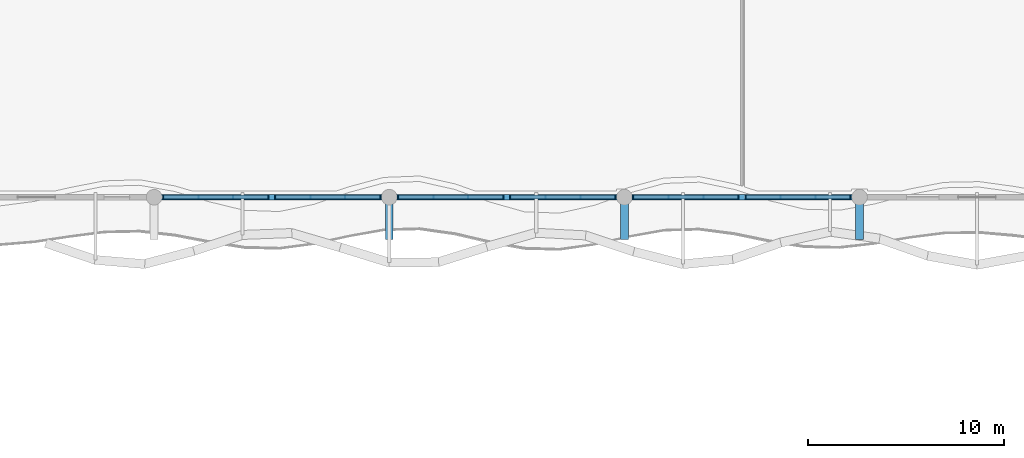
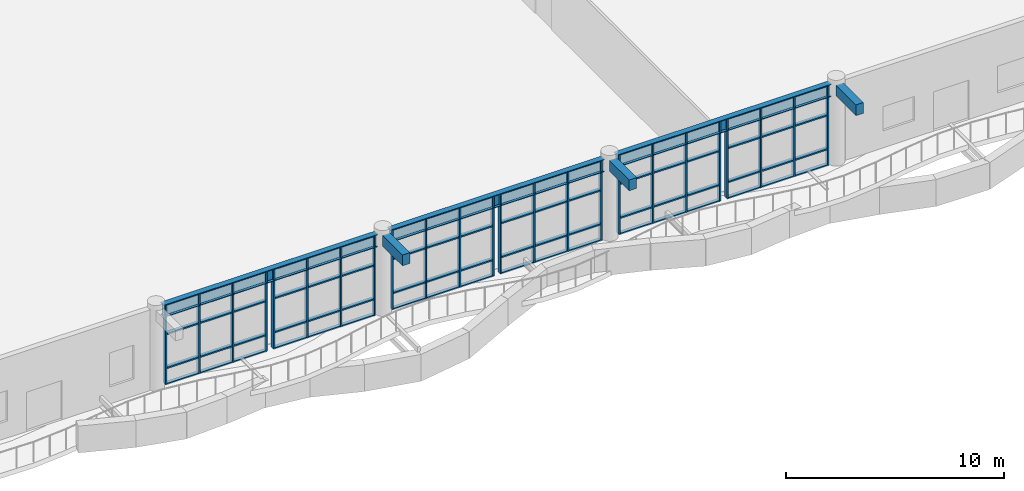
# One storey, part 16 of 72: 48 members, 6 beams, 6 elements without a shape of their own.
"""IFC4 building model written with IfcOpenShell, lengths in metres."""

import ifcopenshell
import ifcopenshell.guid

model = None  # the IFC model being written
_history = None  # IfcOwnerHistory: only IFC2X3 demands one
_inside = {}  # id of a spatial element -> (the spatial element, [elements in it])
_under = {}  # id of a project, library or spatial element -> (it, [spatial elements below it])
_declared = {}  # id of a project -> (the project, [libraries it declares])
_typed = {}  # id of a type object -> (the type object, [elements of that type])
_made_of = {}  # id of a material, layer set ... -> (it, [elements and type objects made of it])


def new_model(schema):
    """Start an empty IFC model of exactly this schema.

    Asked for "IFC4X3", IfcOpenShell would pick the latest addendum, in which some entities
    have other attributes; the version numbers below select the first issue.
    IFC2X3 requires an IfcOwnerHistory on every rooted entity: one is made here for all.
    """
    global model, _history
    if schema == "IFC4X3":
        model = ifcopenshell.file(schema_version=(4, 3, 0, 0))
    else:
        model = ifcopenshell.file(schema=schema)
    _inside.clear()
    _under.clear()
    _declared.clear()
    _typed.clear()
    _made_of.clear()
    _history = None
    if model.schema == "IFC2X3":
        org = make("IfcOrganization", Name="unknown")
        user = make(
            "IfcPersonAndOrganization",
            ThePerson=make("IfcPerson", FamilyName="unknown"),
            TheOrganization=org,
        )
        app = make(
            "IfcApplication",
            ApplicationDeveloper=org,
            Version="unknown",
            ApplicationFullName="unknown",
            ApplicationIdentifier="unknown",
        )
        _history = make(
            "IfcOwnerHistory",
            OwningUser=user,
            OwningApplication=app,
            ChangeAction="ADDED",
            CreationDate=0,
        )
    return model


def make(cls, **values):
    """One entity of the class cls with the attributes given. An attribute that is None is left unset."""
    return model.create_entity(
        cls, **{name: value for name, value in values.items() if value is not None}
    )


def rooted(cls, **values):
    """An entity with a GlobalId (a new one), such as an element, a storey or a relation."""
    return make(cls, GlobalId=ifcopenshell.guid.new(), OwnerHistory=_history, **values)


def si_unit(unit_type, name, prefix=None):
    """IfcSIUnit, for example si_unit("LENGTHUNIT", "METRE", prefix="MILLI")."""
    return make("IfcSIUnit", UnitType=unit_type, Prefix=prefix, Name=name)


def assignment(units):
    """IfcUnitAssignment: the units of a project."""
    return None if units is None else make("IfcUnitAssignment", Units=units)


def point(xyz):
    """IfcCartesianPoint."""
    return None if xyz is None else make("IfcCartesianPoint", Coordinates=xyz)


def direction(xyz):
    """IfcDirection."""
    return None if xyz is None else make("IfcDirection", DirectionRatios=xyz)


def frame(location, z_axis=None, x_axis=None):
    """IfcAxis2Placement3D, a coordinate frame: its origin and axes. An axis left out is left unset."""
    return make(
        "IfcAxis2Placement3D",
        Location=point(location),
        Axis=direction(z_axis),
        RefDirection=direction(x_axis),
    )


def frame_2d(location, x_axis=None):
    """IfcAxis2Placement2D, a coordinate frame in the plane: its origin and x axis."""
    return make(
        "IfcAxis2Placement2D", Location=point(location), RefDirection=direction(x_axis)
    )


def origin():
    """The frame at (0, 0, 0) with its axes left unset."""
    return frame((0.0, 0.0, 0.0))


def origin_2d():
    """The frame at (0, 0) in the plane with its x axis left unset."""
    return frame_2d((0.0, 0.0))


def place(relative_to, where):
    """IfcLocalPlacement: puts the frame where relative to a parent placement (None: the world)."""
    return make(
        "IfcLocalPlacement", PlacementRelTo=relative_to, RelativePlacement=where
    )


def context(
    kind, dimensions, precision=None, world=None, true_north=None, identifier=None
):
    """IfcGeometricRepresentationContext, for example the 3D "Model" context."""
    return make(
        "IfcGeometricRepresentationContext",
        ContextIdentifier=identifier,
        ContextType=kind,
        CoordinateSpaceDimension=dimensions,
        Precision=precision,
        WorldCoordinateSystem=world,
        TrueNorth=true_north,
    )


def subcontext(parent, identifier, kind, view, scale=None):
    """IfcGeometricRepresentationSubContext, for example "Body" below "Model"."""
    return make(
        "IfcGeometricRepresentationSubContext",
        ContextIdentifier=identifier,
        ContextType=kind,
        ParentContext=parent,
        TargetScale=scale,
        TargetView=view,
    )


def project(units=None, contexts=None):
    """IfcProject with its units and contexts."""
    return rooted(
        "IfcProject",
        Name="project",
        RepresentationContexts=contexts,
        UnitsInContext=assignment(units),
    )


def spatial(cls, under=None, at=None, **own):
    """A site, building, storey or space (cls), placed at a placement, below another one or the project."""
    s = rooted(cls, ObjectPlacement=at, **own)
    if under is not None:
        _under.setdefault(under.id(), (under, []))[1].append(s)
    return s


def profile(cls, at=None, kind="AREA", **sizes):
    """A parametric profile (cls). Its sizes go by their IFC names, for example OverallWidth=200.0."""
    return make(cls, ProfileType=kind, Position=at, **sizes)


def rectangle(**sizes):
    """IfcRectangleProfileDef."""
    return profile("IfcRectangleProfileDef", **sizes)


def i_section(**sizes):
    """IfcIShapeProfileDef."""
    return profile("IfcIShapeProfileDef", **sizes)


def extrude(swept, where, along, depth):
    """IfcExtrudedAreaSolid: the profile swept, set in the frame where, extruded along a direction by depth."""
    return make(
        "IfcExtrudedAreaSolid",
        SweptArea=swept,
        Position=where,
        ExtrudedDirection=direction(along),
        Depth=depth,
    )


def shape(context_of_items, identifier, shape_type, items):
    """IfcShapeRepresentation: the items that make up one representation, for example the "Body"."""
    return make(
        "IfcShapeRepresentation",
        ContextOfItems=context_of_items,
        RepresentationIdentifier=identifier,
        RepresentationType=shape_type,
        Items=items,
    )


def material(Name=None, Category=None):
    """IfcMaterial."""
    return make("IfcMaterial", Name=Name, Category=Category)


def layer(
    of_material, thickness, ventilated=None, Name=None, Category=None, Priority=None
):
    """IfcMaterialLayer: one layer of a wall or slab, of a material (None: an air gap)."""
    return make(
        "IfcMaterialLayer",
        Material=of_material,
        LayerThickness=thickness,
        IsVentilated=ventilated,
        Name=Name,
        Category=Category,
        Priority=Priority,
    )


def layer_set(layers, Name=None):
    """IfcMaterialLayerSet."""
    return make("IfcMaterialLayerSet", MaterialLayers=layers, LayerSetName=Name)


def material_profile(
    of_material, cross_section, Name=None, Category=None, Priority=None
):
    """IfcMaterialProfile: a cross section and its material."""
    return make(
        "IfcMaterialProfile",
        Name=Name,
        Material=of_material,
        Profile=cross_section,
        Priority=Priority,
        Category=Category,
    )


def profile_set(profiles, Name=None, composite=None):
    """IfcMaterialProfileSet."""
    return make(
        "IfcMaterialProfileSet",
        Name=Name,
        MaterialProfiles=profiles,
        CompositeProfile=composite,
    )


def made_of(thing, what):
    """Note that an element or type object is made of a material, layer set ...; save() writes the relation."""
    if what is not None:
        _made_of.setdefault(what.id(), (what, []))[1].append(thing)
    return thing


def type_object(cls, material=None, **own):
    """A type object (cls), such as IfcWallType, which elements share."""
    return made_of(rooted(cls, **own), material)


def element(
    cls,
    number,
    at=None,
    inside=None,
    cuts=None,
    type_object=None,
    material=None,
    context=None,
    identifier="Body",
    shape_type=None,
    held_by="IfcProductDefinitionShape",
    body=None,
    shapes=None,
    **own,
):
    """One element of the class cls, such as IfcWall. Its Tag is "e" and its number.

    at: its placement. inside: the storey or other place that contains it. cuts: it is an
    opening in that element (IfcRelVoidsElement). A single representation is given by context,
    identifier, shape_type and body (its items); several are given by shapes. held_by: the class
    of the entity that holds the representations. save() writes the other relations.
    """
    e = rooted(cls, Tag="e%d" % number, ObjectPlacement=at, **own)
    if body is not None:
        shapes = [shape(context, identifier, shape_type, body)]
    if shapes is not None:
        e.Representation = make(held_by, Representations=shapes)
    if inside is not None:
        _inside.setdefault(inside.id(), (inside, []))[1].append(e)
    if cuts is not None:
        rooted(
            "IfcRelVoidsElement", RelatingBuildingElement=cuts, RelatedOpeningElement=e
        )
    if type_object is not None:
        _typed.setdefault(type_object.id(), (type_object, []))[1].append(e)
    return made_of(e, material)


def aggregate(whole, parts):
    """IfcRelAggregates: a whole, such as a stair, and the parts it consists of."""
    return rooted("IfcRelAggregates", RelatingObject=whole, RelatedObjects=parts)


def save(model, path):
    """Write the relations noted so far, then the file.

    IfcRelAggregates (storeys below a building ...), IfcRelContainedInSpatialStructure (elements
    in a storey), IfcRelDefinesByType, IfcRelAssociatesMaterial and IfcRelDeclares: one each for
    every whole, place, type object, material and project.
    """
    for whole, parts in _under.values():
        aggregate(whole, parts)
    for where, things in _inside.values():
        rooted(
            "IfcRelContainedInSpatialStructure",
            RelatedElements=things,
            RelatingStructure=where,
        )
    for kind, things in _typed.values():
        rooted("IfcRelDefinesByType", RelatedObjects=things, RelatingType=kind)
    for what, things in _made_of.values():
        rooted("IfcRelAssociatesMaterial", RelatedObjects=things, RelatingMaterial=what)
    for by, libraries in _declared.values():
        rooted("IfcRelDeclares", RelatingContext=by, RelatedDefinitions=libraries)
    model.write(path)


model = new_model("IFC4")

# Units and contexts
model_context = context("Model", 3, precision=1e-05, world=origin(), true_north=direction((0.0, 1.0)))
body_context = subcontext(model_context, "Body", "Model", "MODEL_VIEW")
ifc_project = project(units=[si_unit("LENGTHUNIT", "METRE"), si_unit("AREAUNIT", "SQUARE_METRE"), si_unit("VOLUMEUNIT", "CUBIC_METRE"), si_unit("PLANEANGLEUNIT", "RADIAN"), si_unit("MASSUNIT", "GRAM", prefix="KILO")], contexts=[model_context])

# Site, building, storey
site_placement = place(None, origin())
site = spatial("IfcSite", under=ifc_project, at=site_placement, CompositionType="ELEMENT")
building_placement = place(site_placement, origin())
building = spatial("IfcBuilding", under=site, at=building_placement, Name="Keelwater Ferry Terminal", CompositionType="ELEMENT")
storey_placement = place(building_placement, frame((0.0, 0.0, 5.39990234375)))
storey = spatial("IfcBuildingStorey", under=building, at=storey_placement, Name="L01", CompositionType="ELEMENT", Elevation=5.39990234375)

# Curtain wall, members
ifc_material_1 = material(Name="Thermally broken unitised aluminium and triple glass", Category="aluminium")
ifc_layer = layer(ifc_material_1, 0.179931640625)
ifc_layer_set = layer_set([ifc_layer], Name="Thermally broken unitised aluminium and triple glass")
curtain_wall_type = type_object("IfcCurtainWallType", Name="CW-02 Unitised Curtain Wall 5330x4450", PredefinedType="USERDEFINED", material=ifc_layer_set)
curtain_wall_1_placement = place(storey_placement, origin())
curtain_wall_1 = element("IfcCurtainWall", 1, at=curtain_wall_1_placement, inside=storey, type_object=curtain_wall_type, Name="Unitised Curtain Wall CW-L01-003", ObjectType="UNITISED CURTAIN WALL", PredefinedType="USERDEFINED")
ifc_material_2 = material(Name="Aluminium mullion", Category="aluminium")
ifc_material_profile_1 = material_profile(ifc_material_2, rectangle(XDim=0.074951171875, YDim=0.219970703125, at=origin_2d()), Name="CWM-02")
ifc_profile_set_1 = profile_set([ifc_material_profile_1], Name="Aluminium mullion")
member_type_1 = type_object("IfcMemberType", Name="CWM-02 Curtain Mullion 75x220", PredefinedType="MULLION", material=ifc_profile_set_1)
member_1_placement = place(storey_placement, frame((72.47509765625, 42.0, 0.0), z_axis=(0.0, 0.0, 1.0), x_axis=(1.0, 0.0, 0.0)))
member_1 = element("IfcMember", 2, at=member_1_placement, type_object=member_type_1, Name="CW-L01-003 Mullion 1", PredefinedType="MULLION", context=body_context, shape_type="SweptSolid", body=[
    extrude(rectangle(XDim=0.074951171875, YDim=0.219970703125, at=origin_2d()), origin(), (0.0, 0.0, 1.0), 4.4501953125),
])
member_2_placement = place(storey_placement, frame((74.251708984375, 42.0, 0.0), z_axis=(0.0, 0.0, 1.0), x_axis=(1.0, 0.0, 0.0)))
member_2 = element("IfcMember", 3, at=member_2_placement, type_object=member_type_1, Name="CW-L01-003 Mullion 2", PredefinedType="MULLION", context=body_context, shape_type="SweptSolid", body=[
    extrude(rectangle(XDim=0.074951171875, YDim=0.219970703125, at=origin_2d()), origin(), (0.0, 0.0, 1.0), 4.4501953125),
])
member_3_placement = place(storey_placement, frame((76.0283203125, 42.0, 0.0), z_axis=(0.0, 0.0, 1.0), x_axis=(1.0, 0.0, 0.0)))
member_3 = element("IfcMember", 4, at=member_3_placement, type_object=member_type_1, Name="CW-L01-003 Mullion 3", PredefinedType="MULLION", context=body_context, shape_type="SweptSolid", body=[
    extrude(rectangle(XDim=0.074951171875, YDim=0.219970703125, at=origin_2d()), origin(), (0.0, 0.0, 1.0), 4.4501953125),
])
member_4_placement = place(storey_placement, frame((77.804931640625, 42.0, 0.0), z_axis=(0.0, 0.0, 1.0), x_axis=(1.0, 0.0, 0.0)))
member_4 = element("IfcMember", 5, at=member_4_placement, type_object=member_type_1, Name="CW-L01-003 Mullion 4", PredefinedType="MULLION", context=body_context, shape_type="SweptSolid", body=[
    extrude(rectangle(XDim=0.074951171875, YDim=0.219970703125, at=origin_2d()), origin(), (0.0, 0.0, 1.0), 4.4501953125),
])

curtain_wall_2_placement = place(storey_placement, origin())
curtain_wall_2 = element("IfcCurtainWall", 6, at=curtain_wall_2_placement, inside=storey, type_object=curtain_wall_type, Name="Unitised Curtain Wall CW-L01-004", ObjectType="UNITISED CURTAIN WALL", PredefinedType="USERDEFINED")
member_5_placement = place(storey_placement, frame((78.195068359375, 42.0, 0.0), z_axis=(0.0, 0.0, 1.0), x_axis=(1.0, 0.0, 0.0)))
member_5 = element("IfcMember", 7, at=member_5_placement, type_object=member_type_1, Name="CW-L01-004 Mullion 1", PredefinedType="MULLION", context=body_context, shape_type="SweptSolid", body=[
    extrude(rectangle(XDim=0.074951171875, YDim=0.219970703125, at=origin_2d()), origin(), (0.0, 0.0, 1.0), 4.4501953125),
])
member_6_placement = place(storey_placement, frame((79.9716796875, 42.0, 0.0), z_axis=(0.0, 0.0, 1.0), x_axis=(1.0, 0.0, 0.0)))
member_6 = element("IfcMember", 8, at=member_6_placement, type_object=member_type_1, Name="CW-L01-004 Mullion 2", PredefinedType="MULLION", context=body_context, shape_type="SweptSolid", body=[
    extrude(rectangle(XDim=0.074951171875, YDim=0.219970703125, at=origin_2d()), origin(), (0.0, 0.0, 1.0), 4.4501953125),
])
member_7_placement = place(storey_placement, frame((81.748291015625, 42.0, 0.0), z_axis=(0.0, 0.0, 1.0), x_axis=(1.0, 0.0, 0.0)))
member_7 = element("IfcMember", 9, at=member_7_placement, type_object=member_type_1, Name="CW-L01-004 Mullion 3", PredefinedType="MULLION", context=body_context, shape_type="SweptSolid", body=[
    extrude(rectangle(XDim=0.074951171875, YDim=0.219970703125, at=origin_2d()), origin(), (0.0, 0.0, 1.0), 4.4501953125),
])
member_8_placement = place(storey_placement, frame((83.52490234375, 42.0, 0.0), z_axis=(0.0, 0.0, 1.0), x_axis=(1.0, 0.0, 0.0)))
member_8 = element("IfcMember", 10, at=member_8_placement, type_object=member_type_1, Name="CW-L01-004 Mullion 4", PredefinedType="MULLION", context=body_context, shape_type="SweptSolid", body=[
    extrude(rectangle(XDim=0.074951171875, YDim=0.219970703125, at=origin_2d()), origin(), (0.0, 0.0, 1.0), 4.4501953125),
])

curtain_wall_3_placement = place(storey_placement, origin())
curtain_wall_3 = element("IfcCurtainWall", 11, at=curtain_wall_3_placement, inside=storey, type_object=curtain_wall_type, Name="Unitised Curtain Wall CW-L01-005", ObjectType="UNITISED CURTAIN WALL", PredefinedType="USERDEFINED")
member_9_placement = place(storey_placement, frame((84.47509765625, 42.0, 0.0), z_axis=(0.0, 0.0, 1.0), x_axis=(1.0, 0.0, 0.0)))
member_9 = element("IfcMember", 12, at=member_9_placement, type_object=member_type_1, Name="CW-L01-005 Mullion 1", PredefinedType="MULLION", context=body_context, shape_type="SweptSolid", body=[
    extrude(rectangle(XDim=0.074951171875, YDim=0.219970703125, at=origin_2d()), origin(), (0.0, 0.0, 1.0), 4.4501953125),
])
member_10_placement = place(storey_placement, frame((86.251708984375, 42.0, 0.0), z_axis=(0.0, 0.0, 1.0), x_axis=(1.0, 0.0, 0.0)))
member_10 = element("IfcMember", 13, at=member_10_placement, type_object=member_type_1, Name="CW-L01-005 Mullion 2", PredefinedType="MULLION", context=body_context, shape_type="SweptSolid", body=[
    extrude(rectangle(XDim=0.074951171875, YDim=0.219970703125, at=origin_2d()), origin(), (0.0, 0.0, 1.0), 4.4501953125),
])
member_11_placement = place(storey_placement, frame((88.0283203125, 42.0, 0.0), z_axis=(0.0, 0.0, 1.0), x_axis=(1.0, 0.0, 0.0)))
member_11 = element("IfcMember", 14, at=member_11_placement, type_object=member_type_1, Name="CW-L01-005 Mullion 3", PredefinedType="MULLION", context=body_context, shape_type="SweptSolid", body=[
    extrude(rectangle(XDim=0.074951171875, YDim=0.219970703125, at=origin_2d()), origin(), (0.0, 0.0, 1.0), 4.4501953125),
])
member_12_placement = place(storey_placement, frame((89.804931640625, 42.0, 0.0), z_axis=(0.0, 0.0, 1.0), x_axis=(1.0, 0.0, 0.0)))
member_12 = element("IfcMember", 15, at=member_12_placement, type_object=member_type_1, Name="CW-L01-005 Mullion 4", PredefinedType="MULLION", context=body_context, shape_type="SweptSolid", body=[
    extrude(rectangle(XDim=0.074951171875, YDim=0.219970703125, at=origin_2d()), origin(), (0.0, 0.0, 1.0), 4.4501953125),
])

curtain_wall_4_placement = place(storey_placement, origin())
curtain_wall_4 = element("IfcCurtainWall", 16, at=curtain_wall_4_placement, inside=storey, type_object=curtain_wall_type, Name="Unitised Curtain Wall CW-L01-006", ObjectType="UNITISED CURTAIN WALL", PredefinedType="USERDEFINED")
member_13_placement = place(storey_placement, frame((90.195068359375, 42.0, 0.0), z_axis=(0.0, 0.0, 1.0), x_axis=(1.0, 0.0, 0.0)))
member_13 = element("IfcMember", 17, at=member_13_placement, type_object=member_type_1, Name="CW-L01-006 Mullion 1", PredefinedType="MULLION", context=body_context, shape_type="SweptSolid", body=[
    extrude(rectangle(XDim=0.074951171875, YDim=0.219970703125, at=origin_2d()), origin(), (0.0, 0.0, 1.0), 4.4501953125),
])
member_14_placement = place(storey_placement, frame((91.9716796875, 42.0, 0.0), z_axis=(0.0, 0.0, 1.0), x_axis=(1.0, 0.0, 0.0)))
member_14 = element("IfcMember", 18, at=member_14_placement, type_object=member_type_1, Name="CW-L01-006 Mullion 2", PredefinedType="MULLION", context=body_context, shape_type="SweptSolid", body=[
    extrude(rectangle(XDim=0.074951171875, YDim=0.219970703125, at=origin_2d()), origin(), (0.0, 0.0, 1.0), 4.4501953125),
])
member_15_placement = place(storey_placement, frame((93.748291015625, 42.0, 0.0), z_axis=(0.0, 0.0, 1.0), x_axis=(1.0, 0.0, 0.0)))
member_15 = element("IfcMember", 19, at=member_15_placement, type_object=member_type_1, Name="CW-L01-006 Mullion 3", PredefinedType="MULLION", context=body_context, shape_type="SweptSolid", body=[
    extrude(rectangle(XDim=0.074951171875, YDim=0.219970703125, at=origin_2d()), origin(), (0.0, 0.0, 1.0), 4.4501953125),
])
member_16_placement = place(storey_placement, frame((95.52490234375, 42.0, 0.0), z_axis=(0.0, 0.0, 1.0), x_axis=(1.0, 0.0, 0.0)))
member_16 = element("IfcMember", 20, at=member_16_placement, type_object=member_type_1, Name="CW-L01-006 Mullion 4", PredefinedType="MULLION", context=body_context, shape_type="SweptSolid", body=[
    extrude(rectangle(XDim=0.074951171875, YDim=0.219970703125, at=origin_2d()), origin(), (0.0, 0.0, 1.0), 4.4501953125),
])

curtain_wall_5_placement = place(storey_placement, origin())
curtain_wall_5 = element("IfcCurtainWall", 21, at=curtain_wall_5_placement, inside=storey, type_object=curtain_wall_type, Name="Unitised Curtain Wall CW-L01-007", ObjectType="UNITISED CURTAIN WALL", PredefinedType="USERDEFINED")
member_17_placement = place(storey_placement, frame((96.47509765625, 42.0, 0.0), z_axis=(0.0, 0.0, 1.0), x_axis=(1.0, 0.0, 0.0)))
member_17 = element("IfcMember", 22, at=member_17_placement, type_object=member_type_1, Name="CW-L01-007 Mullion 1", PredefinedType="MULLION", context=body_context, shape_type="SweptSolid", body=[
    extrude(rectangle(XDim=0.074951171875, YDim=0.219970703125, at=origin_2d()), origin(), (0.0, 0.0, 1.0), 4.4501953125),
])
member_18_placement = place(storey_placement, frame((98.251708984375, 42.0, 0.0), z_axis=(0.0, 0.0, 1.0), x_axis=(1.0, 0.0, 0.0)))
member_18 = element("IfcMember", 23, at=member_18_placement, type_object=member_type_1, Name="CW-L01-007 Mullion 2", PredefinedType="MULLION", context=body_context, shape_type="SweptSolid", body=[
    extrude(rectangle(XDim=0.074951171875, YDim=0.219970703125, at=origin_2d()), origin(), (0.0, 0.0, 1.0), 4.4501953125),
])
member_19_placement = place(storey_placement, frame((100.0283203125, 42.0, 0.0), z_axis=(0.0, 0.0, 1.0), x_axis=(1.0, 0.0, 0.0)))
member_19 = element("IfcMember", 24, at=member_19_placement, type_object=member_type_1, Name="CW-L01-007 Mullion 3", PredefinedType="MULLION", context=body_context, shape_type="SweptSolid", body=[
    extrude(rectangle(XDim=0.074951171875, YDim=0.219970703125, at=origin_2d()), origin(), (0.0, 0.0, 1.0), 4.4501953125),
])
member_20_placement = place(storey_placement, frame((101.804931640625, 42.0, 0.0), z_axis=(0.0, 0.0, 1.0), x_axis=(1.0, 0.0, 0.0)))
member_20 = element("IfcMember", 25, at=member_20_placement, type_object=member_type_1, Name="CW-L01-007 Mullion 4", PredefinedType="MULLION", context=body_context, shape_type="SweptSolid", body=[
    extrude(rectangle(XDim=0.074951171875, YDim=0.219970703125, at=origin_2d()), origin(), (0.0, 0.0, 1.0), 4.4501953125),
])

curtain_wall_6_placement = place(storey_placement, origin())
curtain_wall_6 = element("IfcCurtainWall", 26, at=curtain_wall_6_placement, inside=storey, type_object=curtain_wall_type, Name="Unitised Curtain Wall CW-L01-008", ObjectType="UNITISED CURTAIN WALL", PredefinedType="USERDEFINED")
member_21_placement = place(storey_placement, frame((102.195068359375, 42.0, 0.0), z_axis=(0.0, 0.0, 1.0), x_axis=(1.0, 0.0, 0.0)))
member_21 = element("IfcMember", 27, at=member_21_placement, type_object=member_type_1, Name="CW-L01-008 Mullion 1", PredefinedType="MULLION", context=body_context, shape_type="SweptSolid", body=[
    extrude(rectangle(XDim=0.074951171875, YDim=0.219970703125, at=origin_2d()), origin(), (0.0, 0.0, 1.0), 4.4501953125),
])
member_22_placement = place(storey_placement, frame((103.9716796875, 42.0, 0.0), z_axis=(0.0, 0.0, 1.0), x_axis=(1.0, 0.0, 0.0)))
member_22 = element("IfcMember", 28, at=member_22_placement, type_object=member_type_1, Name="CW-L01-008 Mullion 2", PredefinedType="MULLION", context=body_context, shape_type="SweptSolid", body=[
    extrude(rectangle(XDim=0.074951171875, YDim=0.219970703125, at=origin_2d()), origin(), (0.0, 0.0, 1.0), 4.4501953125),
])
member_23_placement = place(storey_placement, frame((105.748291015625, 42.0, 0.0), z_axis=(0.0, 0.0, 1.0), x_axis=(1.0, 0.0, 0.0)))
member_23 = element("IfcMember", 29, at=member_23_placement, type_object=member_type_1, Name="CW-L01-008 Mullion 3", PredefinedType="MULLION", context=body_context, shape_type="SweptSolid", body=[
    extrude(rectangle(XDim=0.074951171875, YDim=0.219970703125, at=origin_2d()), origin(), (0.0, 0.0, 1.0), 4.4501953125),
])
member_24_placement = place(storey_placement, frame((107.52490234375, 42.0, 0.0), z_axis=(0.0, 0.0, 1.0), x_axis=(1.0, 0.0, 0.0)))
member_24 = element("IfcMember", 30, at=member_24_placement, type_object=member_type_1, Name="CW-L01-008 Mullion 4", PredefinedType="MULLION", context=body_context, shape_type="SweptSolid", body=[
    extrude(rectangle(XDim=0.074951171875, YDim=0.219970703125, at=origin_2d()), origin(), (0.0, 0.0, 1.0), 4.4501953125),
])

# Member
ifc_material_3 = material(Name="Aluminium mullion", Category="aluminium")
ifc_material_profile_2 = material_profile(ifc_material_3, rectangle(XDim=0.199951171875, YDim=0.074951171875, at=origin_2d()), Name="CWT-02")
ifc_profile_set_2 = profile_set([ifc_material_profile_2], Name="Aluminium mullion")
member_type_2 = type_object("IfcMemberType", Name="CWT-02 Curtain Transom 75x200", PredefinedType="USERDEFINED", material=ifc_profile_set_2)
member_25_placement = place(storey_placement, frame((72.47509765625, 42.0, 0.0), z_axis=(1.0, 0.0, 0.0), x_axis=(0.0, 1.0, 0.0)))
member_25 = element("IfcMember", 31, at=member_25_placement, type_object=member_type_2, Name="CW-L01-003 Transom 1", ObjectType="TRANSOM", PredefinedType="USERDEFINED", context=body_context, shape_type="SweptSolid", body=[
    extrude(rectangle(XDim=0.199951171875, YDim=0.074951171875, at=origin_2d()), origin(), (0.0, 0.0, 1.0), 5.329833984375),
])

member_26_placement = place(storey_placement, frame((72.47509765625, 42.0, 0.900146484375), z_axis=(1.0, 0.0, 0.0), x_axis=(0.0, 1.0, 0.0)))
member_26 = element("IfcMember", 32, at=member_26_placement, type_object=member_type_2, Name="CW-L01-003 Transom 2", ObjectType="TRANSOM", PredefinedType="USERDEFINED", context=body_context, shape_type="SweptSolid", body=[
    extrude(rectangle(XDim=0.199951171875, YDim=0.074951171875, at=origin_2d()), origin(), (0.0, 0.0, 1.0), 5.329833984375),
])

member_27_placement = place(storey_placement, frame((72.47509765625, 42.0, 2.800048828125), z_axis=(1.0, 0.0, 0.0), x_axis=(0.0, 1.0, 0.0)))
member_27 = element("IfcMember", 33, at=member_27_placement, type_object=member_type_2, Name="CW-L01-003 Transom 3", ObjectType="TRANSOM", PredefinedType="USERDEFINED", context=body_context, shape_type="SweptSolid", body=[
    extrude(rectangle(XDim=0.199951171875, YDim=0.074951171875, at=origin_2d()), origin(), (0.0, 0.0, 1.0), 5.329833984375),
])

member_28_placement = place(storey_placement, frame((72.47509765625, 42.0, 4.4501953125), z_axis=(1.0, 0.0, 0.0), x_axis=(0.0, 1.0, 0.0)))
member_28 = element("IfcMember", 34, at=member_28_placement, type_object=member_type_2, Name="CW-L01-003 Transom 4", ObjectType="TRANSOM", PredefinedType="USERDEFINED", context=body_context, shape_type="SweptSolid", body=[
    extrude(rectangle(XDim=0.199951171875, YDim=0.074951171875, at=origin_2d()), origin(), (0.0, 0.0, 1.0), 5.329833984375),
])

aggregate(curtain_wall_1, [member_1, member_2, member_3, member_4, member_25, member_26, member_27, member_28])

member_29_placement = place(storey_placement, frame((78.195068359375, 42.0, 0.0), z_axis=(1.0, 0.0, 0.0), x_axis=(0.0, 1.0, 0.0)))
member_29 = element("IfcMember", 35, at=member_29_placement, type_object=member_type_2, Name="CW-L01-004 Transom 1", ObjectType="TRANSOM", PredefinedType="USERDEFINED", context=body_context, shape_type="SweptSolid", body=[
    extrude(rectangle(XDim=0.199951171875, YDim=0.074951171875, at=origin_2d()), origin(), (0.0, 0.0, 1.0), 5.329833984375),
])

member_30_placement = place(storey_placement, frame((78.195068359375, 42.0, 0.900146484375), z_axis=(1.0, 0.0, 0.0), x_axis=(0.0, 1.0, 0.0)))
member_30 = element("IfcMember", 36, at=member_30_placement, type_object=member_type_2, Name="CW-L01-004 Transom 2", ObjectType="TRANSOM", PredefinedType="USERDEFINED", context=body_context, shape_type="SweptSolid", body=[
    extrude(rectangle(XDim=0.199951171875, YDim=0.074951171875, at=origin_2d()), origin(), (0.0, 0.0, 1.0), 5.329833984375),
])

member_31_placement = place(storey_placement, frame((78.195068359375, 42.0, 2.800048828125), z_axis=(1.0, 0.0, 0.0), x_axis=(0.0, 1.0, 0.0)))
member_31 = element("IfcMember", 37, at=member_31_placement, type_object=member_type_2, Name="CW-L01-004 Transom 3", ObjectType="TRANSOM", PredefinedType="USERDEFINED", context=body_context, shape_type="SweptSolid", body=[
    extrude(rectangle(XDim=0.199951171875, YDim=0.074951171875, at=origin_2d()), origin(), (0.0, 0.0, 1.0), 5.329833984375),
])

member_32_placement = place(storey_placement, frame((78.195068359375, 42.0, 4.4501953125), z_axis=(1.0, 0.0, 0.0), x_axis=(0.0, 1.0, 0.0)))
member_32 = element("IfcMember", 38, at=member_32_placement, type_object=member_type_2, Name="CW-L01-004 Transom 4", ObjectType="TRANSOM", PredefinedType="USERDEFINED", context=body_context, shape_type="SweptSolid", body=[
    extrude(rectangle(XDim=0.199951171875, YDim=0.074951171875, at=origin_2d()), origin(), (0.0, 0.0, 1.0), 5.329833984375),
])

aggregate(curtain_wall_2, [member_5, member_6, member_7, member_8, member_29, member_30, member_31, member_32])

member_33_placement = place(storey_placement, frame((84.47509765625, 42.0, 0.0), z_axis=(1.0, 0.0, 0.0), x_axis=(0.0, 1.0, 0.0)))
member_33 = element("IfcMember", 39, at=member_33_placement, type_object=member_type_2, Name="CW-L01-005 Transom 1", ObjectType="TRANSOM", PredefinedType="USERDEFINED", context=body_context, shape_type="SweptSolid", body=[
    extrude(rectangle(XDim=0.199951171875, YDim=0.074951171875, at=origin_2d()), origin(), (0.0, 0.0, 1.0), 5.329833984375),
])

member_34_placement = place(storey_placement, frame((84.47509765625, 42.0, 0.900146484375), z_axis=(1.0, 0.0, 0.0), x_axis=(0.0, 1.0, 0.0)))
member_34 = element("IfcMember", 40, at=member_34_placement, type_object=member_type_2, Name="CW-L01-005 Transom 2", ObjectType="TRANSOM", PredefinedType="USERDEFINED", context=body_context, shape_type="SweptSolid", body=[
    extrude(rectangle(XDim=0.199951171875, YDim=0.074951171875, at=origin_2d()), origin(), (0.0, 0.0, 1.0), 5.329833984375),
])

member_35_placement = place(storey_placement, frame((84.47509765625, 42.0, 2.800048828125), z_axis=(1.0, 0.0, 0.0), x_axis=(0.0, 1.0, 0.0)))
member_35 = element("IfcMember", 41, at=member_35_placement, type_object=member_type_2, Name="CW-L01-005 Transom 3", ObjectType="TRANSOM", PredefinedType="USERDEFINED", context=body_context, shape_type="SweptSolid", body=[
    extrude(rectangle(XDim=0.199951171875, YDim=0.074951171875, at=origin_2d()), origin(), (0.0, 0.0, 1.0), 5.329833984375),
])

member_36_placement = place(storey_placement, frame((84.47509765625, 42.0, 4.4501953125), z_axis=(1.0, 0.0, 0.0), x_axis=(0.0, 1.0, 0.0)))
member_36 = element("IfcMember", 42, at=member_36_placement, type_object=member_type_2, Name="CW-L01-005 Transom 4", ObjectType="TRANSOM", PredefinedType="USERDEFINED", context=body_context, shape_type="SweptSolid", body=[
    extrude(rectangle(XDim=0.199951171875, YDim=0.074951171875, at=origin_2d()), origin(), (0.0, 0.0, 1.0), 5.329833984375),
])

aggregate(curtain_wall_3, [member_9, member_10, member_11, member_12, member_33, member_34, member_35, member_36])

member_37_placement = place(storey_placement, frame((90.195068359375, 42.0, 0.0), z_axis=(1.0, 0.0, 0.0), x_axis=(0.0, 1.0, 0.0)))
member_37 = element("IfcMember", 43, at=member_37_placement, type_object=member_type_2, Name="CW-L01-006 Transom 1", ObjectType="TRANSOM", PredefinedType="USERDEFINED", context=body_context, shape_type="SweptSolid", body=[
    extrude(rectangle(XDim=0.199951171875, YDim=0.074951171875, at=origin_2d()), origin(), (0.0, 0.0, 1.0), 5.329833984375),
])

member_38_placement = place(storey_placement, frame((90.195068359375, 42.0, 0.900146484375), z_axis=(1.0, 0.0, 0.0), x_axis=(0.0, 1.0, 0.0)))
member_38 = element("IfcMember", 44, at=member_38_placement, type_object=member_type_2, Name="CW-L01-006 Transom 2", ObjectType="TRANSOM", PredefinedType="USERDEFINED", context=body_context, shape_type="SweptSolid", body=[
    extrude(rectangle(XDim=0.199951171875, YDim=0.074951171875, at=origin_2d()), origin(), (0.0, 0.0, 1.0), 5.329833984375),
])

member_39_placement = place(storey_placement, frame((90.195068359375, 42.0, 2.800048828125), z_axis=(1.0, 0.0, 0.0), x_axis=(0.0, 1.0, 0.0)))
member_39 = element("IfcMember", 45, at=member_39_placement, type_object=member_type_2, Name="CW-L01-006 Transom 3", ObjectType="TRANSOM", PredefinedType="USERDEFINED", context=body_context, shape_type="SweptSolid", body=[
    extrude(rectangle(XDim=0.199951171875, YDim=0.074951171875, at=origin_2d()), origin(), (0.0, 0.0, 1.0), 5.329833984375),
])

member_40_placement = place(storey_placement, frame((90.195068359375, 42.0, 4.4501953125), z_axis=(1.0, 0.0, 0.0), x_axis=(0.0, 1.0, 0.0)))
member_40 = element("IfcMember", 46, at=member_40_placement, type_object=member_type_2, Name="CW-L01-006 Transom 4", ObjectType="TRANSOM", PredefinedType="USERDEFINED", context=body_context, shape_type="SweptSolid", body=[
    extrude(rectangle(XDim=0.199951171875, YDim=0.074951171875, at=origin_2d()), origin(), (0.0, 0.0, 1.0), 5.329833984375),
])

aggregate(curtain_wall_4, [member_13, member_14, member_15, member_16, member_37, member_38, member_39, member_40])

member_41_placement = place(storey_placement, frame((96.47509765625, 42.0, 0.0), z_axis=(1.0, 0.0, 0.0), x_axis=(0.0, 1.0, 0.0)))
member_41 = element("IfcMember", 47, at=member_41_placement, type_object=member_type_2, Name="CW-L01-007 Transom 1", ObjectType="TRANSOM", PredefinedType="USERDEFINED", context=body_context, shape_type="SweptSolid", body=[
    extrude(rectangle(XDim=0.199951171875, YDim=0.074951171875, at=origin_2d()), origin(), (0.0, 0.0, 1.0), 5.329833984375),
])

member_42_placement = place(storey_placement, frame((96.47509765625, 42.0, 0.900146484375), z_axis=(1.0, 0.0, 0.0), x_axis=(0.0, 1.0, 0.0)))
member_42 = element("IfcMember", 48, at=member_42_placement, type_object=member_type_2, Name="CW-L01-007 Transom 2", ObjectType="TRANSOM", PredefinedType="USERDEFINED", context=body_context, shape_type="SweptSolid", body=[
    extrude(rectangle(XDim=0.199951171875, YDim=0.074951171875, at=origin_2d()), origin(), (0.0, 0.0, 1.0), 5.329833984375),
])

member_43_placement = place(storey_placement, frame((96.47509765625, 42.0, 2.800048828125), z_axis=(1.0, 0.0, 0.0), x_axis=(0.0, 1.0, 0.0)))
member_43 = element("IfcMember", 49, at=member_43_placement, type_object=member_type_2, Name="CW-L01-007 Transom 3", ObjectType="TRANSOM", PredefinedType="USERDEFINED", context=body_context, shape_type="SweptSolid", body=[
    extrude(rectangle(XDim=0.199951171875, YDim=0.074951171875, at=origin_2d()), origin(), (0.0, 0.0, 1.0), 5.329833984375),
])

member_44_placement = place(storey_placement, frame((96.47509765625, 42.0, 4.4501953125), z_axis=(1.0, 0.0, 0.0), x_axis=(0.0, 1.0, 0.0)))
member_44 = element("IfcMember", 50, at=member_44_placement, type_object=member_type_2, Name="CW-L01-007 Transom 4", ObjectType="TRANSOM", PredefinedType="USERDEFINED", context=body_context, shape_type="SweptSolid", body=[
    extrude(rectangle(XDim=0.199951171875, YDim=0.074951171875, at=origin_2d()), origin(), (0.0, 0.0, 1.0), 5.329833984375),
])

aggregate(curtain_wall_5, [member_17, member_18, member_19, member_20, member_41, member_42, member_43, member_44])

member_45_placement = place(storey_placement, frame((102.195068359375, 42.0, 0.0), z_axis=(1.0, 0.0, 0.0), x_axis=(0.0, 1.0, 0.0)))
member_45 = element("IfcMember", 51, at=member_45_placement, type_object=member_type_2, Name="CW-L01-008 Transom 1", ObjectType="TRANSOM", PredefinedType="USERDEFINED", context=body_context, shape_type="SweptSolid", body=[
    extrude(rectangle(XDim=0.199951171875, YDim=0.074951171875, at=origin_2d()), origin(), (0.0, 0.0, 1.0), 5.329833984375),
])

member_46_placement = place(storey_placement, frame((102.195068359375, 42.0, 0.900146484375), z_axis=(1.0, 0.0, 0.0), x_axis=(0.0, 1.0, 0.0)))
member_46 = element("IfcMember", 52, at=member_46_placement, type_object=member_type_2, Name="CW-L01-008 Transom 2", ObjectType="TRANSOM", PredefinedType="USERDEFINED", context=body_context, shape_type="SweptSolid", body=[
    extrude(rectangle(XDim=0.199951171875, YDim=0.074951171875, at=origin_2d()), origin(), (0.0, 0.0, 1.0), 5.329833984375),
])

member_47_placement = place(storey_placement, frame((102.195068359375, 42.0, 2.800048828125), z_axis=(1.0, 0.0, 0.0), x_axis=(0.0, 1.0, 0.0)))
member_47 = element("IfcMember", 53, at=member_47_placement, type_object=member_type_2, Name="CW-L01-008 Transom 3", ObjectType="TRANSOM", PredefinedType="USERDEFINED", context=body_context, shape_type="SweptSolid", body=[
    extrude(rectangle(XDim=0.199951171875, YDim=0.074951171875, at=origin_2d()), origin(), (0.0, 0.0, 1.0), 5.329833984375),
])

member_48_placement = place(storey_placement, frame((102.195068359375, 42.0, 4.4501953125), z_axis=(1.0, 0.0, 0.0), x_axis=(0.0, 1.0, 0.0)))
member_48 = element("IfcMember", 54, at=member_48_placement, type_object=member_type_2, Name="CW-L01-008 Transom 4", ObjectType="TRANSOM", PredefinedType="USERDEFINED", context=body_context, shape_type="SweptSolid", body=[
    extrude(rectangle(XDim=0.199951171875, YDim=0.074951171875, at=origin_2d()), origin(), (0.0, 0.0, 1.0), 5.329833984375),
])

aggregate(curtain_wall_6, [member_21, member_22, member_23, member_24, member_45, member_46, member_47, member_48])

# Beams
ifc_material_4 = material(Name="Concrete C45/55", Category="concrete")
ifc_material_profile_3 = material_profile(ifc_material_4, rectangle(XDim=0.39990234375, YDim=0.60009765625, at=origin_2d()), Name="RC 400x600")
ifc_profile_set_3 = profile_set([ifc_material_profile_3], Name="Concrete C45/55")
beam_type_1 = type_object("IfcBeamType", Name="G11E RC 400x600", PredefinedType="BEAM", material=ifc_profile_set_3)
for number, where, z_axis, x_axis, name in (
    (55, (84.0, 41.672119140625, 4.22021484375), (0.0, -1.0, 0.0), (1.0, 0.0, 0.0), "Beam BM-L01-0958"),
    (56, (96.0, 41.672119140625, 4.22021484375), (0.0, -1.0, 0.0), (1.0, 0.0, 0.0), "Beam BM-L01-0959"),
    (57, (108.0, 41.672119140625, 4.22021484375), (0.0, -1.0, 0.0), (1.0, 0.0, 0.0), "Beam BM-L01-0960"),
):
    element("IfcBeam", number, at=place(storey_placement, frame(where, z_axis=z_axis, x_axis=x_axis)), inside=storey, type_object=beam_type_1, Name=name, PredefinedType="BEAM", context=body_context, shape_type="SweptSolid", body=[
        extrude(rectangle(XDim=0.39990234375, YDim=0.60009765625, at=origin_2d()), origin(), (0.0, 0.0, 1.0), 1.822021484375),
    ])
ifc_material_5 = material(Name="Steel S355", Category="steel")
ifc_material_profile_4 = material_profile(ifc_material_5, i_section(OverallWidth=0.300048828125, OverallDepth=0.699951171875, WebThickness=0.01708984375, FlangeThickness=0.031982421875, at=origin_2d()), Name="HEB 700")
ifc_profile_set_4 = profile_set([ifc_material_profile_4], Name="Steel S355")
beam_type_2 = type_object("IfcBeamType", Name="G2E HEB 700", PredefinedType="BEAM", material=ifc_profile_set_4)
for number, where, z_axis, x_axis, name in (
    (58, (72.327880859375, 42.0, 4.170166015625), (1.0, 0.0, 0.0), (0.0, 1.0, 0.0), "Beam BM-L01-0626"),
    (59, (84.327880859375, 42.0, 4.170166015625), (1.0, 0.0, 0.0), (0.0, 1.0, 0.0), "Beam BM-L01-0627"),
    (60, (96.327880859375, 42.0, 4.170166015625), (1.0, 0.0, 0.0), (0.0, 1.0, 0.0), "Beam BM-L01-0628"),
):
    element("IfcBeam", number, at=place(storey_placement, frame(where, z_axis=z_axis, x_axis=x_axis)), inside=storey, type_object=beam_type_2, Name=name, PredefinedType="BEAM", context=body_context, shape_type="SweptSolid", body=[
        extrude(i_section(OverallWidth=0.300048828125, OverallDepth=0.699951171875, WebThickness=0.01708984375, FlangeThickness=0.031982421875, at=origin_2d()), origin(), (0.0, 0.0, 1.0), 11.34423828125),
    ])

save(model, "model.ifc")
